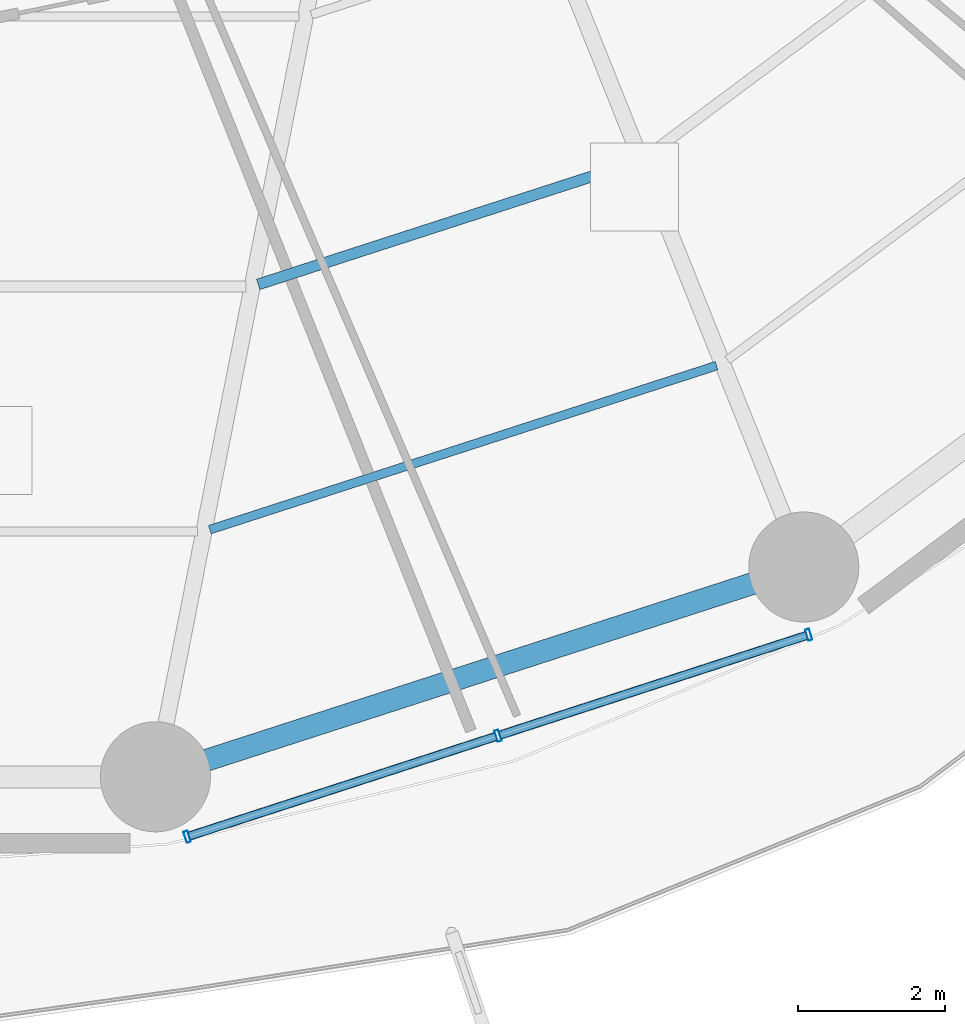
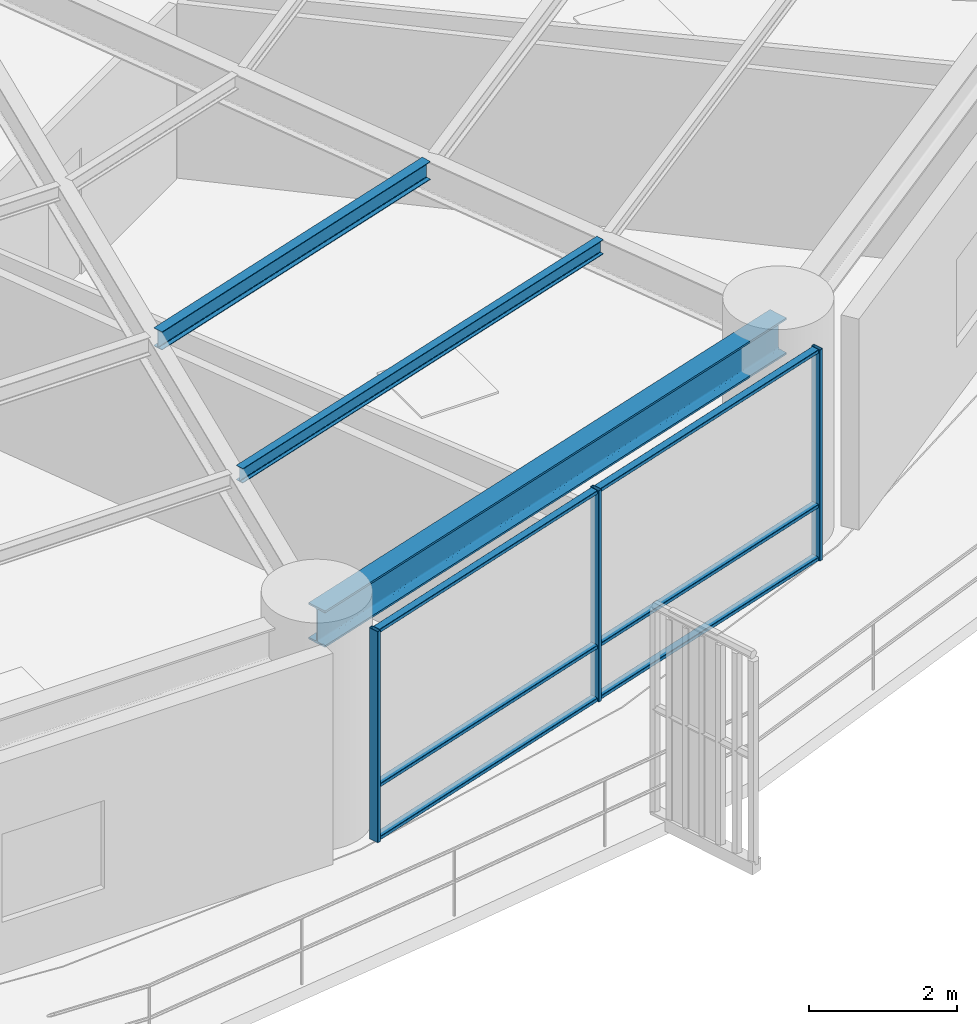
# One storey, part 8 of 32: 9 members, 3 beams, 1 element without a shape of its own.
"""IFC4 building model written with IfcOpenShell, lengths in metres."""

from ifc_helpers import new_model, si_unit, direction, frame, origin, origin_2d, place, context, subcontext, project, spatial, hollow_rectangle, i_section, extrude, material, layer, layer_set, material_profile, profile_set, type_object, element, aggregate, save


model = new_model("IFC4")

# Units and contexts
model_context = context("Model", 3, precision=1e-05, world=origin(), true_north=direction((0.0, 1.0)))
body_context = subcontext(model_context, "Body", "Model", "MODEL_VIEW")
ifc_project = project(units=[si_unit("LENGTHUNIT", "METRE"), si_unit("AREAUNIT", "SQUARE_METRE"), si_unit("VOLUMEUNIT", "CUBIC_METRE"), si_unit("PLANEANGLEUNIT", "RADIAN"), si_unit("MASSUNIT", "GRAM", prefix="KILO")], contexts=[model_context])

# Site, building, storey
site_placement = place(None, origin())
site = spatial("IfcSite", under=ifc_project, at=site_placement, CompositionType="ELEMENT")
building_placement = place(site_placement, origin())
building = spatial("IfcBuilding", under=site, at=building_placement, Name="Kelanora Arch Commons", CompositionType="ELEMENT")
storey_placement = place(building_placement, frame((0.0, 0.0, 48.75)))
storey = spatial("IfcBuildingStorey", under=building, at=storey_placement, Name="L12", CompositionType="ELEMENT", Elevation=48.75)

# Beams
ifc_material_1 = material(Name="Steel S355", Category="steel")
ifc_material_profile_1 = material_profile(ifc_material_1, i_section(OverallWidth=0.14990234375, OverallDepth=0.300048828125, WebThickness=0.007080078125, FlangeThickness=0.0107421875, FilletRadius=0.014892578125, at=origin_2d()), Name="IPE300")
ifc_profile_set_1 = profile_set([ifc_material_profile_1], Name="Steel S355")
beam_type_1 = type_object("IfcBeamType", Name="BM-JST-01", PredefinedType="JOIST", material=ifc_profile_set_1)
beam_1_placement = place(storey_placement, frame((80.102294921875, 40.997802734375, 3.340087890625), z_axis=(0.951412209627, 0.307920131482, 0.0), x_axis=(-0.307920131482, 0.951412209627, 0.0)))
element("IfcBeam", 1, at=beam_1_placement, inside=storey, type_object=beam_type_1, Name="Secondary Chord Joist BJB-28 L12", PredefinedType="JOIST", context=body_context, shape_type="SweptSolid", body=[
    extrude(i_section(OverallWidth=0.14990234375, OverallDepth=0.300048828125, WebThickness=0.007080078125, FlangeThickness=0.0107421875, FilletRadius=0.014892578125, at=origin_2d()), origin(), (0.0, 0.0, 1.0), 5.4033203125),
])
ifc_material_profile_2 = material_profile(ifc_material_1, i_section(OverallWidth=0.1201171875, OverallDepth=0.239990234375, WebThickness=0.006103515625, FlangeThickness=0.009765625, FilletRadius=0.014892578125, at=origin_2d()), Name="IPE240")
ifc_profile_set_2 = profile_set([ifc_material_profile_2], Name="Steel S355")
beam_type_2 = type_object("IfcBeamType", Name="BM-JST-02", PredefinedType="JOIST", material=ifc_profile_set_2)
beam_2_placement = place(storey_placement, frame((79.44287109375, 37.65478515625, 3.3701171875), z_axis=(0.951410915705, 0.307924129418, 0.0), x_axis=(-0.307924129418, 0.951410915705, 0.0)))
element("IfcBeam", 2, at=beam_2_placement, inside=storey, type_object=beam_type_2, Name="Secondary Chord Joist BJC-28 L12", PredefinedType="JOIST", context=body_context, shape_type="SweptSolid", body=[
    extrude(i_section(OverallWidth=0.1201171875, OverallDepth=0.239990234375, WebThickness=0.006103515625, FlangeThickness=0.009765625, FilletRadius=0.014892578125, at=origin_2d()), origin(), (0.0, 0.0, 1.0), 7.260986328125),
])
ifc_material_profile_3 = material_profile(ifc_material_1, i_section(OverallWidth=0.300048828125, OverallDepth=0.60009765625, WebThickness=0.015380859375, FlangeThickness=0.030029296875, FilletRadius=0.027099609375, at=origin_2d()), Name="HEB600")
ifc_profile_set_3 = profile_set([ifc_material_profile_3], Name="Steel S355")
beam_type_3 = type_object("IfcBeamType", Name="BM-SPN-Z1", PredefinedType="SPANDREL", material=ifc_profile_set_3)
beam_3_placement = place(storey_placement, frame((78.702392578125, 34.285888671875, 3.18994140625), z_axis=(0.951417120402, 0.307904957748, 0.0), x_axis=(-0.307904957748, 0.951417120402, 0.0)))
element("IfcBeam", 3, at=beam_3_placement, inside=storey, type_object=beam_type_3, Name="Perimeter Spandrel Beam BS-28 L12", PredefinedType="SPANDREL", context=body_context, shape_type="SweptSolid", body=[
    extrude(i_section(OverallWidth=0.300048828125, OverallDepth=0.60009765625, WebThickness=0.015380859375, FlangeThickness=0.030029296875, FilletRadius=0.027099609375, at=origin_2d()), origin(), (0.0, 0.0, 1.0), 9.288818359375),
])

# Curtain wall, members
ifc_material_2 = material(Name="Terracotta ceramic-fritted low-E glass and aluminium", Category="masonry")
ifc_layer = layer(ifc_material_2, 0.159912109375)
ifc_layer_set = layer_set([ifc_layer], Name="Terracotta ceramic-fritted low-E glass and aluminium")
curtain_wall_type = type_object("IfcCurtainWallType", Name="CW-SYS-01", PredefinedType="NOTDEFINED", material=ifc_layer_set)
curtain_wall_placement = place(storey_placement, origin())
curtain_wall = element("IfcCurtainWall", 4, at=curtain_wall_placement, inside=storey, type_object=curtain_wall_type, Name="Unitised Curtain Wall L12-B14", PredefinedType="NOTDEFINED")
ifc_material_3 = material(Name="Powder-coated aluminium terracotta", Category="masonry")
ifc_material_profile_4 = material_profile(ifc_material_3, hollow_rectangle(XDim=0.159912109375, YDim=0.06005859375, WallThickness=0.0048828125, InnerFilletRadius=0.0048828125, OuterFilletRadius=0.010009765625, at=origin_2d()), Name="CWM160x60")
ifc_profile_set_4 = profile_set([ifc_material_profile_4], Name="Powder-coated aluminium terracotta")
member_type_1 = type_object("IfcMemberType", Name="CWM-STD", PredefinedType="MULLION", material=ifc_profile_set_4)
member_1_placement = place(storey_placement, frame((79.134521484375, 33.46826171875, 0.0), z_axis=(0.0, 0.0, 1.0), x_axis=(-0.30905758454, 0.951043326793, 0.0)))
member_1 = element("IfcMember", 5, at=member_1_placement, type_object=member_type_1, Name="CW-01 mullion 1", PredefinedType="MULLION", context=body_context, shape_type="SweptSolid", body=[
    extrude(hollow_rectangle(XDim=0.159912109375, YDim=0.06005859375, WallThickness=0.0048828125, InnerFilletRadius=0.0048828125, OuterFilletRadius=0.010009765625, at=origin_2d()), origin(), (0.0, 0.0, 1.0), 3.47509765625),
])
member_2_placement = place(storey_placement, frame((83.37109375, 34.84521484375, 0.0), z_axis=(0.0, 0.0, 1.0), x_axis=(-0.30905758454, 0.951043326793, 0.0)))
member_2 = element("IfcMember", 6, at=member_2_placement, type_object=member_type_1, Name="CW-01 mullion 2", PredefinedType="MULLION", context=body_context, shape_type="SweptSolid", body=[
    extrude(hollow_rectangle(XDim=0.159912109375, YDim=0.06005859375, WallThickness=0.0048828125, InnerFilletRadius=0.0048828125, OuterFilletRadius=0.010009765625, at=origin_2d()), origin(), (0.0, 0.0, 1.0), 3.47509765625),
])
member_3_placement = place(storey_placement, frame((87.607666015625, 36.221923828125, 0.0), z_axis=(0.0, 0.0, 1.0), x_axis=(-0.30905758454, 0.951043326793, 0.0)))
member_3 = element("IfcMember", 7, at=member_3_placement, type_object=member_type_1, Name="CW-01 mullion 3", PredefinedType="MULLION", context=body_context, shape_type="SweptSolid", body=[
    extrude(hollow_rectangle(XDim=0.159912109375, YDim=0.06005859375, WallThickness=0.0048828125, InnerFilletRadius=0.0048828125, OuterFilletRadius=0.010009765625, at=origin_2d()), origin(), (0.0, 0.0, 1.0), 3.47509765625),
])
ifc_material_profile_5 = material_profile(ifc_material_3, hollow_rectangle(XDim=0.1201171875, YDim=0.06005859375, WallThickness=0.0048828125, InnerFilletRadius=0.0048828125, OuterFilletRadius=0.010009765625, at=origin_2d()), Name="CWT120x60")
ifc_profile_set_5 = profile_set([ifc_material_profile_5], Name="Powder-coated aluminium terracotta")
member_type_2 = type_object("IfcMemberType", Name="CWT-STD", PredefinedType="USERDEFINED", material=ifc_profile_set_5)
member_4_placement = place(storey_placement, frame((79.1630859375, 33.4775390625, 0.030029296875), z_axis=(0.951028761285, 0.309102402464, 0.0), x_axis=(-0.309102402464, 0.951028761285, 0.0)))
member_4 = element("IfcMember", 8, at=member_4_placement, type_object=member_type_2, Name="CW-01 transom 1.1", ObjectType="TRANSOM", PredefinedType="USERDEFINED", context=body_context, shape_type="SweptSolid", body=[
    extrude(hollow_rectangle(XDim=0.1201171875, YDim=0.06005859375, WallThickness=0.0048828125, InnerFilletRadius=0.0048828125, OuterFilletRadius=0.010009765625, at=origin_2d()), origin(), (0.0, 0.0, 1.0), 4.394775390625),
])
member_5_placement = place(storey_placement, frame((79.1630859375, 33.4775390625, 0.89990234375), z_axis=(0.951028761285, 0.309102402464, 0.0), x_axis=(-0.309102402464, 0.951028761285, 0.0)))
member_5 = element("IfcMember", 9, at=member_5_placement, type_object=member_type_2, Name="CW-01 transom 1.2", ObjectType="TRANSOM", PredefinedType="USERDEFINED", context=body_context, shape_type="SweptSolid", body=[
    extrude(hollow_rectangle(XDim=0.1201171875, YDim=0.06005859375, WallThickness=0.0048828125, InnerFilletRadius=0.0048828125, OuterFilletRadius=0.010009765625, at=origin_2d()), origin(), (0.0, 0.0, 1.0), 4.394775390625),
])
member_6_placement = place(storey_placement, frame((79.1630859375, 33.4775390625, 3.445068359375), z_axis=(0.951028761285, 0.309102402464, 0.0), x_axis=(-0.309102402464, 0.951028761285, 0.0)))
member_6 = element("IfcMember", 10, at=member_6_placement, type_object=member_type_2, Name="CW-01 transom 1.3", ObjectType="TRANSOM", PredefinedType="USERDEFINED", context=body_context, shape_type="SweptSolid", body=[
    extrude(hollow_rectangle(XDim=0.1201171875, YDim=0.06005859375, WallThickness=0.0048828125, InnerFilletRadius=0.0048828125, OuterFilletRadius=0.010009765625, at=origin_2d()), origin(), (0.0, 0.0, 1.0), 4.394775390625),
])
member_7_placement = place(storey_placement, frame((83.399658203125, 34.8544921875, 0.030029296875), z_axis=(0.951045091182, 0.309052155047, 0.0), x_axis=(-0.309052155047, 0.951045091182, 0.0)))
member_7 = element("IfcMember", 11, at=member_7_placement, type_object=member_type_2, Name="CW-01 transom 2.1", ObjectType="TRANSOM", PredefinedType="USERDEFINED", context=body_context, shape_type="SweptSolid", body=[
    extrude(hollow_rectangle(XDim=0.1201171875, YDim=0.06005859375, WallThickness=0.0048828125, InnerFilletRadius=0.0048828125, OuterFilletRadius=0.010009765625, at=origin_2d()), origin(), (0.0, 0.0, 1.0), 4.39453125),
])
member_8_placement = place(storey_placement, frame((83.399658203125, 34.8544921875, 0.89990234375), z_axis=(0.951045091182, 0.309052155047, 0.0), x_axis=(-0.309052155047, 0.951045091182, 0.0)))
member_8 = element("IfcMember", 12, at=member_8_placement, type_object=member_type_2, Name="CW-01 transom 2.2", ObjectType="TRANSOM", PredefinedType="USERDEFINED", context=body_context, shape_type="SweptSolid", body=[
    extrude(hollow_rectangle(XDim=0.1201171875, YDim=0.06005859375, WallThickness=0.0048828125, InnerFilletRadius=0.0048828125, OuterFilletRadius=0.010009765625, at=origin_2d()), origin(), (0.0, 0.0, 1.0), 4.39453125),
])
member_9_placement = place(storey_placement, frame((83.399658203125, 34.8544921875, 3.445068359375), z_axis=(0.951045091182, 0.309052155047, 0.0), x_axis=(-0.309052155047, 0.951045091182, 0.0)))
member_9 = element("IfcMember", 13, at=member_9_placement, type_object=member_type_2, Name="CW-01 transom 2.3", ObjectType="TRANSOM", PredefinedType="USERDEFINED", context=body_context, shape_type="SweptSolid", body=[
    extrude(hollow_rectangle(XDim=0.1201171875, YDim=0.06005859375, WallThickness=0.0048828125, InnerFilletRadius=0.0048828125, OuterFilletRadius=0.010009765625, at=origin_2d()), origin(), (0.0, 0.0, 1.0), 4.39453125),
])
aggregate(curtain_wall, [member_1, member_2, member_3, member_4, member_5, member_6, member_7, member_8, member_9])

save(model, "model.ifc")
